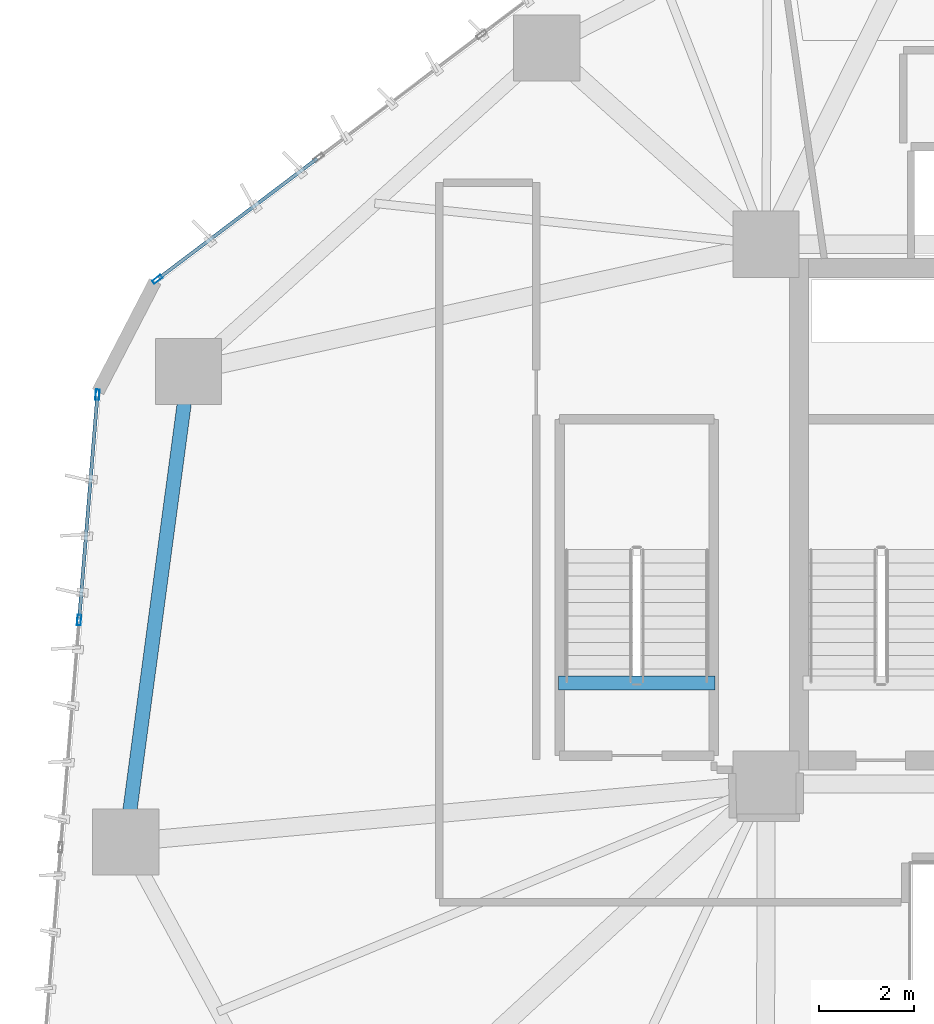
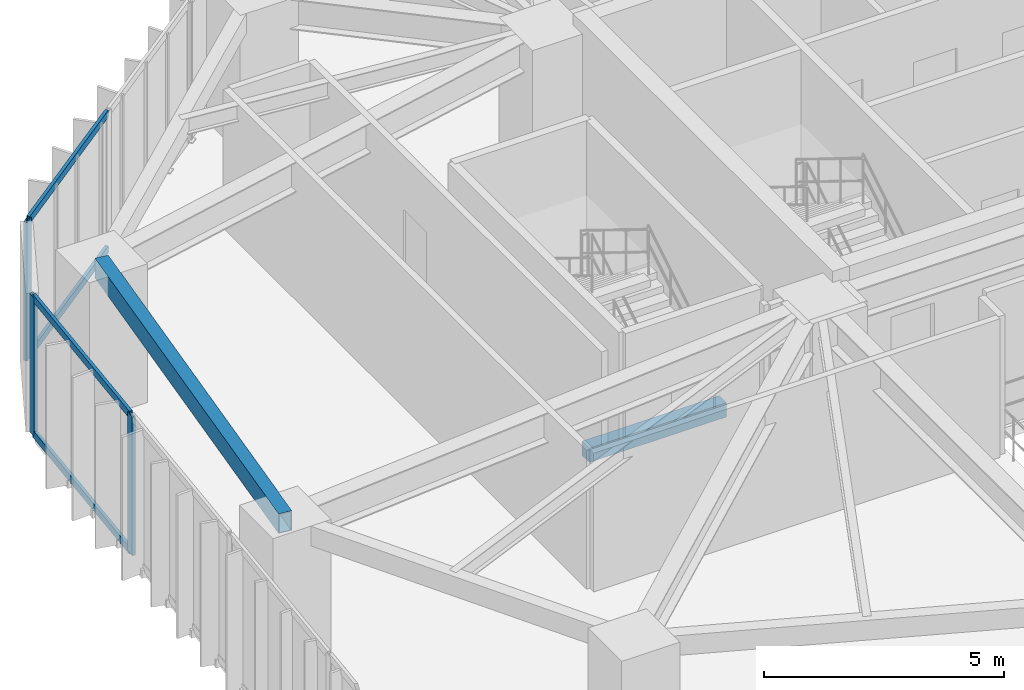
# One storey, part 6 of 23: 7 members, 2 beams, 2 elements without a shape of their own.
"""IFC4 building model written with IfcOpenShell, lengths in metres."""

from ifc_helpers import new_model, si_unit, direction, frame, origin, origin_2d, place, context, subcontext, project, spatial, rectangle, hollow_rectangle, extrude, source, transform, mapped, material, layer, layer_set, material_profile, profile_set, type_object, type_shapes, element, aggregate, save


model = new_model("IFC4")

# Units and contexts
model_context = context("Model", 3, precision=1e-05, world=origin(), true_north=direction((0.0, 1.0)))
body_context = subcontext(model_context, "Body", "Model", "MODEL_VIEW")
ifc_project = project(units=[si_unit("LENGTHUNIT", "METRE"), si_unit("AREAUNIT", "SQUARE_METRE"), si_unit("VOLUMEUNIT", "CUBIC_METRE"), si_unit("PLANEANGLEUNIT", "RADIAN"), si_unit("MASSUNIT", "GRAM", prefix="KILO")], contexts=[model_context])

# Site, building, storey
site_placement = place(None, origin())
site = spatial("IfcSite", under=ifc_project, at=site_placement, CompositionType="ELEMENT")
building_placement = place(site_placement, origin())
building = spatial("IfcBuilding", under=site, at=building_placement, Name="Talar Marvaseh", CompositionType="ELEMENT")
storey_placement = place(building_placement, frame((0.0, 0.0, 69.60009765625)))
storey = spatial("IfcBuildingStorey", under=building, at=storey_placement, Name="L17", CompositionType="ELEMENT", Elevation=69.60009765625)

# Beams
ifc_material_1 = material(Name="Concrete C40/50", Category="concrete")
ifc_material_profile_1 = material_profile(ifc_material_1, rectangle(XDim=0.300048828125, YDim=0.360107421875, at=origin_2d()), Name="RC300x360")
ifc_profile_set_1 = profile_set([ifc_material_profile_1], Name="Concrete C40/50")
beam_type_1 = type_object("IfcBeamType", Name="Concrete Stair Landing Trimmer Beam RC300x360", PredefinedType="SPANDREL", material=ifc_profile_set_1)
beam_1_placement = place(storey_placement, frame((17.6201171875, 27.6298828125, -0.18017578125), z_axis=(-1.0, 0.0, 0.0), x_axis=(0.0, -1.0, 0.0)))
element("IfcBeam", 1, at=beam_1_placement, inside=storey, type_object=beam_type_1, Name="L17 ST-3 Stair Nosing Trimmer Beam", PredefinedType="SPANDREL", context=body_context, shape_type="SweptSolid", body=[
    extrude(rectangle(XDim=0.300048828125, YDim=0.360107421875, at=origin_2d()), origin(), (0.0, 0.0, 1.0), 3.300048828125),
])
ifc_material_2 = material(Name="Steel S355", Category="steel")
ifc_material_profile_2 = material_profile(ifc_material_2, hollow_rectangle(XDim=0.300048828125, YDim=0.5, WallThickness=0.02001953125, at=origin_2d()), Name="RHS500x300x20")
ifc_profile_set_2 = profile_set([ifc_material_profile_2], Name="Steel S355")
beam_type_2 = type_object("IfcBeamType", Name="Zone 1 Perimeter Spandrel Beam RHS500x300x20", PredefinedType="SPANDREL", material=ifc_profile_set_2)
beam_2_placement = place(storey_placement, frame((5.175048828125, 24.27587890625, 3.27001953125), z_axis=(0.132340758564, 0.991204279461, 0.0), x_axis=(-0.991204279461, 0.132340758564, 0.0)))
element("IfcBeam", 2, at=beam_2_placement, inside=storey, type_object=beam_type_2, Name="L17 Zone 1 Perimeter Spandrel Beam RHS500x300x20", PredefinedType="SPANDREL", context=body_context, shape_type="SweptSolid", body=[
    extrude(hollow_rectangle(XDim=0.300048828125, YDim=0.5, WallThickness=0.02001953125, at=origin_2d()), origin(), (0.0, 0.0, 1.0), 10.0263671875),
])

# Curtain wall, members
ifc_material_3 = material(Name="Architectural Aluminium", Category="aluminium")
ifc_layer = layer(ifc_material_3, 0.219970703125)
ifc_layer_set = layer_set([ifc_layer], Name="Architectural Aluminium")
curtain_wall_type = type_object("IfcCurtainWallType", Name="Unitised Low-E Museum Curtain Wall Z1", PredefinedType="NOTDEFINED", material=ifc_layer_set)
curtain_wall_1_placement = place(storey_placement, origin())
curtain_wall_1 = element("IfcCurtainWall", 3, at=curtain_wall_1_placement, inside=storey, type_object=curtain_wall_type, Name="L17 Unitised Low-E Museum Curtain Wall Z1", PredefinedType="NOTDEFINED")
ifc_material_profile_3 = material_profile(ifc_material_3, hollow_rectangle(XDim=0.080078125, YDim=0.219970703125, WallThickness=0.0048828125, at=origin_2d()), Name="RHS220x80x5")
ifc_profile_set_3 = profile_set([ifc_material_profile_3], Name="Architectural Aluminium")
member_type_1 = type_object("IfcMemberType", Name="Unitised Curtain Wall Heavy Mullion RHS220x80x5", PredefinedType="MULLION", material=ifc_profile_set_3)
shared_shape_1 = source(origin(), body_context, "Body", "SweptSolid", [
    extrude(hollow_rectangle(XDim=0.080078125, YDim=0.219970703125, WallThickness=0.0048828125, at=origin_2d()), origin(), (0.0, 0.0, 1.0), 3.52001953125),
])
type_shapes(member_type_1, [shared_shape_1])
member_1_placement = place(storey_placement, frame((4.192138671875, 28.961669921875, 0.0), z_axis=(0.0, 0.0, 1.0), x_axis=(-0.996703041053, 0.081135984349, 0.0)))
member_1 = element("IfcMember", 4, at=member_1_placement, type_object=member_type_1, Name="CW-Z1 mullion 4", PredefinedType="MULLION", context=body_context, shape_type="MappedRepresentation", body=[
    mapped(shared_shape_1, transform((0.0, 0.0, 0.0), x_axis=(1.0, 0.0, 0.0), y_axis=(0.0, 1.0, 0.0), z_axis=(0.0, 0.0, 1.0), scale=1.0)),
])
member_2_placement = place(storey_placement, frame((4.57958984375, 33.722412109375, 0.0), z_axis=(0.0, 0.0, 1.0), x_axis=(-0.996703041053, 0.081135984349, 0.0)))
member_2 = element("IfcMember", 5, at=member_2_placement, type_object=member_type_1, Name="CW-Z1 mullion 5", PredefinedType="MULLION", context=body_context, shape_type="MappedRepresentation", body=[
    mapped(shared_shape_1, transform((0.0, 0.0, 0.0), x_axis=(1.0, 0.0, 0.0), y_axis=(0.0, 1.0, 0.0), z_axis=(0.0, 0.0, 1.0), scale=1.0)),
])

# Curtain wall, member
curtain_wall_2_placement = place(storey_placement, origin())
curtain_wall_2 = element("IfcCurtainWall", 6, at=curtain_wall_2_placement, inside=storey, type_object=curtain_wall_type, Name="L17 Unitised Low-E Museum Curtain Wall Z1", PredefinedType="NOTDEFINED")
member_3_placement = place(storey_placement, frame((5.8447265625, 36.1591796875, 0.0), z_axis=(0.0, 0.0, 1.0), x_axis=(-0.602762713543, 0.797920491755, 0.0)))
member_3 = element("IfcMember", 7, at=member_3_placement, type_object=member_type_1, Name="CW-Z1 mullion 1", PredefinedType="MULLION", context=body_context, shape_type="MappedRepresentation", body=[
    mapped(shared_shape_1, transform((0.0, 0.0, 0.0), x_axis=(1.0, 0.0, 0.0), y_axis=(0.0, 1.0, 0.0), z_axis=(0.0, 0.0, 1.0), scale=1.0)),
])

# Member
ifc_material_profile_4 = material_profile(ifc_material_3, hollow_rectangle(XDim=0.074951171875, YDim=0.179931640625, WallThickness=0.0048828125, at=origin_2d()), Name="RHS180x75x5")
ifc_profile_set_4 = profile_set([ifc_material_profile_4], Name="Architectural Aluminium")
member_type_2 = type_object("IfcMemberType", Name="Unitised Curtain Wall Transom RHS180x75x5", PredefinedType="USERDEFINED", material=ifc_profile_set_4)
shared_shape_2 = source(origin(), body_context, "Body", "SweptSolid", [
    extrude(hollow_rectangle(XDim=0.074951171875, YDim=0.179931640625, WallThickness=0.0048828125, at=origin_2d()), origin(), (0.0, 0.0, 1.0), 4.696533203125),
])
member_4_placement = place(storey_placement, frame((4.1953125, 29.00146484375, 0.037353515625), z_axis=(0.081143863866, 0.996702399594, 0.0), x_axis=(-0.996702399594, 0.081143863866, 0.0)))
member_4 = element("IfcMember", 8, at=member_4_placement, type_object=member_type_2, Name="CW-Z1 transom 4.1", ObjectType="TRANSOM", PredefinedType="USERDEFINED", context=body_context, shape_type="MappedRepresentation", body=[
    mapped(shared_shape_2, transform((0.0, 0.0, 0.0), x_axis=(1.0, 0.0, 0.0), y_axis=(0.0, 1.0, 0.0), z_axis=(0.0, 0.0, 1.0), scale=1.0)),
])

member_5_placement = place(storey_placement, frame((4.1953125, 29.00146484375, 3.482421875), z_axis=(0.081143863866, 0.996702399594, 0.0), x_axis=(-0.996702399594, 0.081143863866, 0.0)))
member_5 = element("IfcMember", 9, at=member_5_placement, type_object=member_type_2, Name="CW-Z1 transom 4.2", ObjectType="TRANSOM", PredefinedType="USERDEFINED", context=body_context, shape_type="MappedRepresentation", body=[
    mapped(shared_shape_2, transform((0.0, 0.0, 0.0), x_axis=(1.0, 0.0, 0.0), y_axis=(0.0, 1.0, 0.0), z_axis=(0.0, 0.0, 1.0), scale=1.0)),
])

aggregate(curtain_wall_1, [member_1, member_2, member_4, member_5])

shared_shape_3 = source(origin(), body_context, "Body", "SweptSolid", [
    extrude(hollow_rectangle(XDim=0.074951171875, YDim=0.179931640625, WallThickness=0.0048828125, at=origin_2d()), origin(), (0.0, 0.0, 1.0), 4.192138671875),
])
type_shapes(member_type_2, [shared_shape_2, shared_shape_3])
member_6_placement = place(storey_placement, frame((5.87646484375, 36.18310546875, 0.037353515625), z_axis=(0.797919608846, 0.602763882312, 0.0), x_axis=(-0.602763882312, 0.797919608846, 0.0)))
member_6 = element("IfcMember", 10, at=member_6_placement, type_object=member_type_2, Name="CW-Z1 transom 1.1", ObjectType="TRANSOM", PredefinedType="USERDEFINED", context=body_context, shape_type="MappedRepresentation", body=[
    mapped(shared_shape_3, transform((0.0, 0.0, 0.0), x_axis=(1.0, 0.0, 0.0), y_axis=(0.0, 1.0, 0.0), z_axis=(0.0, 0.0, 1.0), scale=1.0)),
])

member_7_placement = place(storey_placement, frame((5.87646484375, 36.18310546875, 3.482421875), z_axis=(0.797919608846, 0.602763882312, 0.0), x_axis=(-0.602763882312, 0.797919608846, 0.0)))
member_7 = element("IfcMember", 11, at=member_7_placement, type_object=member_type_2, Name="CW-Z1 transom 1.2", ObjectType="TRANSOM", PredefinedType="USERDEFINED", context=body_context, shape_type="MappedRepresentation", body=[
    mapped(shared_shape_3, transform((0.0, 0.0, 0.0), x_axis=(1.0, 0.0, 0.0), y_axis=(0.0, 1.0, 0.0), z_axis=(0.0, 0.0, 1.0), scale=1.0)),
])

aggregate(curtain_wall_2, [member_3, member_6, member_7])

save(model, "model.ifc")
